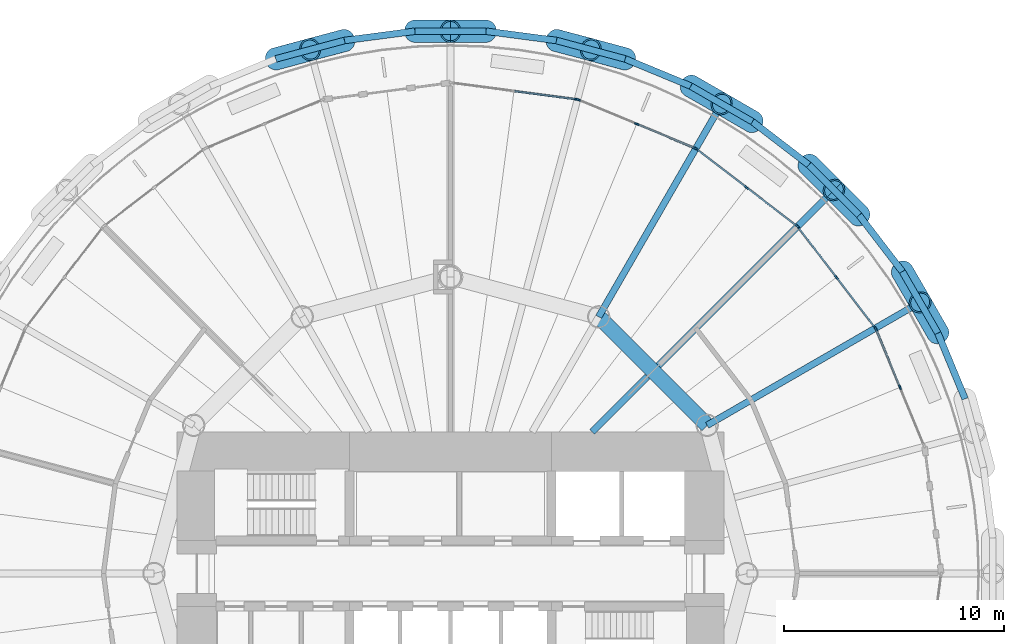
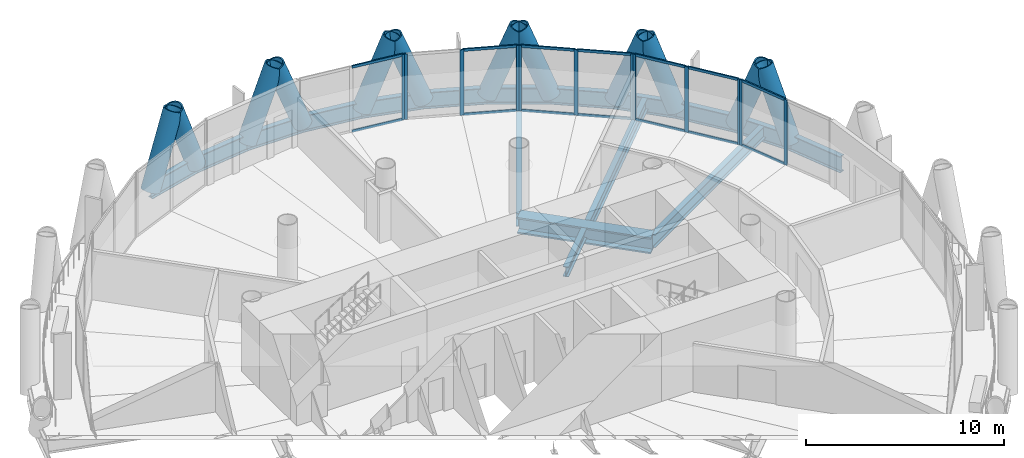
# One storey, part 7 of 15: 38 members, 17 beams, 5 elements without a shape of their own.
"""IFC4 building model written with IfcOpenShell, lengths in metres."""

from ifc_helpers import new_model, si_unit, direction, frame, origin, origin_2d, place, context, subcontext, project, spatial, rectangle, hollow_circle, i_section, extrude, material, material_profile, profile_set, type_object, element, aggregate, save


model = new_model("IFC4")

# Units and contexts
model_context = context("Model", 3, precision=1e-05, world=origin(), true_north=direction((0.0, 1.0)))
body_context = subcontext(model_context, "Body", "Model", "MODEL_VIEW")
ifc_project = project(units=[si_unit("LENGTHUNIT", "METRE"), si_unit("AREAUNIT", "SQUARE_METRE"), si_unit("VOLUMEUNIT", "CUBIC_METRE"), si_unit("PLANEANGLEUNIT", "RADIAN"), si_unit("MASSUNIT", "GRAM", prefix="KILO")], contexts=[model_context])

# Site, building, storey
site_placement = place(None, origin())
site = spatial("IfcSite", under=ifc_project, at=site_placement, CompositionType="ELEMENT")
building_placement = place(site_placement, origin())
building = spatial("IfcBuilding", under=site, at=building_placement, Name="Qaws Media Tower", CompositionType="ELEMENT")
storey_placement = place(building_placement, frame((0.0, 0.0, 156.199951171875)))
storey = spatial("IfcBuildingStorey", under=building, at=storey_placement, Name="L35", CompositionType="ELEMENT", Elevation=156.199951171875)

# Curtain wall, members
ifc_material_1 = material(Name="Aluminium and clear glass", Category="aluminium")
curtain_wall_type = type_object("IfcCurtainWallType", Name="Unitised curtain wall CW-B", PredefinedType="NOTDEFINED", material=ifc_material_1)
curtain_wall_1_placement = place(storey_placement, origin())
curtain_wall_1 = element("IfcCurtainWall", 1, at=curtain_wall_1_placement, inside=storey, type_object=curtain_wall_type, Name="CWB curtain wall L35-02", PredefinedType="NOTDEFINED")
ifc_material_2 = material(Name="Aluminium mullion", Category="aluminium")
ifc_material_profile_1 = material_profile(ifc_material_2, rectangle(XDim=0.080078125, YDim=0.199951171875, at=origin_2d()), Name="80x200")
ifc_profile_set_1 = profile_set([ifc_material_profile_1], Name="Aluminium mullion")
member_type_1 = type_object("IfcMemberType", Name="Curtain wall mullion 80x200", PredefinedType="MULLION", material=ifc_profile_set_1)
member_1_placement = place(storey_placement, frame((80.47216796875, 58.479736328125, 0.0), z_axis=(0.0, 0.0, 1.0), x_axis=(-0.923879550772, -0.38268338828, 0.0)))
member_1 = element("IfcMember", 2, at=member_1_placement, type_object=member_type_1, Name="CWB mullion 2", PredefinedType="MULLION", context=body_context, shape_type="SweptSolid", body=[
    extrude(rectangle(XDim=0.080078125, YDim=0.199951171875, at=origin_2d()), origin(), (0.0, 0.0, 1.0), 4.0400390625),
])
member_2_placement = place(storey_placement, frame((79.37109375, 61.137939453125, 0.0), z_axis=(0.0, 0.0, 1.0), x_axis=(-0.923879550772, -0.38268338828, 0.0)))
member_2 = element("IfcMember", 3, at=member_2_placement, type_object=member_type_1, Name="CWB mullion 3", PredefinedType="MULLION", context=body_context, shape_type="SweptSolid", body=[
    extrude(rectangle(XDim=0.080078125, YDim=0.199951171875, at=origin_2d()), origin(), (0.0, 0.0, 1.0), 4.0400390625),
])

curtain_wall_2_placement = place(storey_placement, origin())
curtain_wall_2 = element("IfcCurtainWall", 4, at=curtain_wall_2_placement, inside=storey, type_object=curtain_wall_type, Name="CWB curtain wall L35-03", PredefinedType="NOTDEFINED")
member_3_placement = place(storey_placement, frame((79.331298828125, 61.206787109375, 0.0), z_axis=(0.0, 0.0, 1.0), x_axis=(-0.793353386074, -0.608761369344, 0.0)))
member_3 = element("IfcMember", 5, at=member_3_placement, type_object=member_type_1, Name="CWB mullion 1", PredefinedType="MULLION", context=body_context, shape_type="SweptSolid", body=[
    extrude(rectangle(XDim=0.080078125, YDim=0.199951171875, at=origin_2d()), origin(), (0.0, 0.0, 1.0), 4.0400390625),
])
member_4_placement = place(storey_placement, frame((77.579833984375, 63.489501953125, 0.0), z_axis=(0.0, 0.0, 1.0), x_axis=(-0.793353386074, -0.608761369344, 0.0)))
member_4 = element("IfcMember", 6, at=member_4_placement, type_object=member_type_1, Name="CWB mullion 2", PredefinedType="MULLION", context=body_context, shape_type="SweptSolid", body=[
    extrude(rectangle(XDim=0.080078125, YDim=0.199951171875, at=origin_2d()), origin(), (0.0, 0.0, 1.0), 4.0400390625),
])
member_5_placement = place(storey_placement, frame((75.828125, 65.772216796875, 0.0), z_axis=(0.0, 0.0, 1.0), x_axis=(-0.793353386074, -0.608761369344, 0.0)))
member_5 = element("IfcMember", 7, at=member_5_placement, type_object=member_type_1, Name="CWB mullion 3", PredefinedType="MULLION", context=body_context, shape_type="SweptSolid", body=[
    extrude(rectangle(XDim=0.080078125, YDim=0.199951171875, at=origin_2d()), origin(), (0.0, 0.0, 1.0), 4.0400390625),
])

curtain_wall_3_placement = place(storey_placement, origin())
curtain_wall_3 = element("IfcCurtainWall", 8, at=curtain_wall_3_placement, inside=storey, type_object=curtain_wall_type, Name="CWB curtain wall L35-04", PredefinedType="NOTDEFINED")
member_6_placement = place(storey_placement, frame((75.772216796875, 65.828125, 0.0), z_axis=(0.0, 0.0, 1.0), x_axis=(-0.608761369344, -0.793353386074, 0.0)))
member_6 = element("IfcMember", 9, at=member_6_placement, type_object=member_type_1, Name="CWB mullion 1", PredefinedType="MULLION", context=body_context, shape_type="SweptSolid", body=[
    extrude(rectangle(XDim=0.080078125, YDim=0.199951171875, at=origin_2d()), origin(), (0.0, 0.0, 1.0), 4.0400390625),
])
member_7_placement = place(storey_placement, frame((73.489501953125, 67.579833984375, 0.0), z_axis=(0.0, 0.0, 1.0), x_axis=(-0.608761369344, -0.793353386074, 0.0)))
member_7 = element("IfcMember", 10, at=member_7_placement, type_object=member_type_1, Name="CWB mullion 2", PredefinedType="MULLION", context=body_context, shape_type="SweptSolid", body=[
    extrude(rectangle(XDim=0.080078125, YDim=0.199951171875, at=origin_2d()), origin(), (0.0, 0.0, 1.0), 4.0400390625),
])
member_8_placement = place(storey_placement, frame((71.206787109375, 69.331298828125, 0.0), z_axis=(0.0, 0.0, 1.0), x_axis=(-0.608761369344, -0.793353386074, 0.0)))
member_8 = element("IfcMember", 11, at=member_8_placement, type_object=member_type_1, Name="CWB mullion 3", PredefinedType="MULLION", context=body_context, shape_type="SweptSolid", body=[
    extrude(rectangle(XDim=0.080078125, YDim=0.199951171875, at=origin_2d()), origin(), (0.0, 0.0, 1.0), 4.0400390625),
])

curtain_wall_4_placement = place(storey_placement, origin())
curtain_wall_4 = element("IfcCurtainWall", 12, at=curtain_wall_4_placement, inside=storey, type_object=curtain_wall_type, Name="CWB curtain wall L35-05", PredefinedType="NOTDEFINED")
member_9_placement = place(storey_placement, frame((71.137939453125, 69.37109375, 0.0), z_axis=(0.0, 0.0, 1.0), x_axis=(-0.38268338828, -0.923879550772, 0.0)))
member_9 = element("IfcMember", 13, at=member_9_placement, type_object=member_type_1, Name="CWB mullion 1", PredefinedType="MULLION", context=body_context, shape_type="SweptSolid", body=[
    extrude(rectangle(XDim=0.080078125, YDim=0.199951171875, at=origin_2d()), origin(), (0.0, 0.0, 1.0), 4.0400390625),
])
member_10_placement = place(storey_placement, frame((68.479736328125, 70.47216796875, 0.0), z_axis=(0.0, 0.0, 1.0), x_axis=(-0.38268338828, -0.923879550772, 0.0)))
member_10 = element("IfcMember", 14, at=member_10_placement, type_object=member_type_1, Name="CWB mullion 2", PredefinedType="MULLION", context=body_context, shape_type="SweptSolid", body=[
    extrude(rectangle(XDim=0.080078125, YDim=0.199951171875, at=origin_2d()), origin(), (0.0, 0.0, 1.0), 4.0400390625),
])
member_11_placement = place(storey_placement, frame((65.821533203125, 71.5732421875, 0.0), z_axis=(0.0, 0.0, 1.0), x_axis=(-0.38268338828, -0.923879550772, 0.0)))
member_11 = element("IfcMember", 15, at=member_11_placement, type_object=member_type_1, Name="CWB mullion 3", PredefinedType="MULLION", context=body_context, shape_type="SweptSolid", body=[
    extrude(rectangle(XDim=0.080078125, YDim=0.199951171875, at=origin_2d()), origin(), (0.0, 0.0, 1.0), 4.0400390625),
])

# Curtain wall, member
curtain_wall_5_placement = place(storey_placement, origin())
curtain_wall_5 = element("IfcCurtainWall", 16, at=curtain_wall_5_placement, inside=storey, type_object=curtain_wall_type, Name="CWB curtain wall L35-06", PredefinedType="NOTDEFINED")
member_12_placement = place(storey_placement, frame((65.744873046875, 71.59375, 0.0), z_axis=(0.0, 0.0, 1.0), x_axis=(-0.130526221291, -0.991444857547, 0.0)))
member_12 = element("IfcMember", 17, at=member_12_placement, type_object=member_type_1, Name="CWB mullion 1", PredefinedType="MULLION", context=body_context, shape_type="SweptSolid", body=[
    extrude(rectangle(XDim=0.080078125, YDim=0.199951171875, at=origin_2d()), origin(), (0.0, 0.0, 1.0), 4.0400390625),
])

# Member
ifc_material_3 = material(Name="Aluminium transom", Category="aluminium")
ifc_material_profile_2 = material_profile(ifc_material_3, rectangle(XDim=0.080078125, YDim=0.159912109375, at=origin_2d()), Name="80x160")
ifc_profile_set_2 = profile_set([ifc_material_profile_2], Name="Aluminium transom")
member_type_2 = type_object("IfcMemberType", Name="Curtain wall transom 80x160", PredefinedType="USERDEFINED", material=ifc_profile_set_2)
member_13_placement = place(storey_placement, frame((80.456787109375, 58.516845703125, 0.0400390625), z_axis=(-0.382724364585, 0.923862576768, 0.0), x_axis=(-0.923862576768, -0.382724364585, 0.0)))
member_13 = element("IfcMember", 18, at=member_13_placement, type_object=member_type_2, Name="CWB transom 2.1", ObjectType="TRANSOM", PredefinedType="USERDEFINED", context=body_context, shape_type="SweptSolid", body=[
    extrude(rectangle(XDim=0.080078125, YDim=0.159912109375, at=origin_2d()), origin(), (0.0, 0.0, 1.0), 2.797119140625),
])

member_14_placement = place(storey_placement, frame((80.456787109375, 58.516845703125, 4.0), z_axis=(-0.382724364585, 0.923862576768, 0.0), x_axis=(-0.923862576768, -0.382724364585, 0.0)))
member_14 = element("IfcMember", 19, at=member_14_placement, type_object=member_type_2, Name="CWB transom 2.2", ObjectType="TRANSOM", PredefinedType="USERDEFINED", context=body_context, shape_type="SweptSolid", body=[
    extrude(rectangle(XDim=0.080078125, YDim=0.159912109375, at=origin_2d()), origin(), (0.0, 0.0, 1.0), 2.797119140625),
])

aggregate(curtain_wall_1, [member_1, member_2, member_13, member_14])

member_15_placement = place(storey_placement, frame((79.306884765625, 61.238525390625, 0.0400390625), z_axis=(-0.608761301523, 0.793353438114, 0.0), x_axis=(-0.793353438114, -0.608761301523, 0.0)))
member_15 = element("IfcMember", 20, at=member_15_placement, type_object=member_type_2, Name="CWB transom 1.1", ObjectType="TRANSOM", PredefinedType="USERDEFINED", context=body_context, shape_type="SweptSolid", body=[
    extrude(rectangle(XDim=0.080078125, YDim=0.159912109375, at=origin_2d()), origin(), (0.0, 0.0, 1.0), 2.79736328125),
])

member_16_placement = place(storey_placement, frame((79.306884765625, 61.238525390625, 4.0), z_axis=(-0.608761301523, 0.793353438114, 0.0), x_axis=(-0.793353438114, -0.608761301523, 0.0)))
member_16 = element("IfcMember", 21, at=member_16_placement, type_object=member_type_2, Name="CWB transom 1.2", ObjectType="TRANSOM", PredefinedType="USERDEFINED", context=body_context, shape_type="SweptSolid", body=[
    extrude(rectangle(XDim=0.080078125, YDim=0.159912109375, at=origin_2d()), origin(), (0.0, 0.0, 1.0), 2.79736328125),
])

member_17_placement = place(storey_placement, frame((77.555419921875, 63.521240234375, 0.0400390625), z_axis=(-0.608761301523, 0.793353438114, 0.0), x_axis=(-0.793353438114, -0.608761301523, 0.0)))
member_17 = element("IfcMember", 22, at=member_17_placement, type_object=member_type_2, Name="CWB transom 2.1", ObjectType="TRANSOM", PredefinedType="USERDEFINED", context=body_context, shape_type="SweptSolid", body=[
    extrude(rectangle(XDim=0.080078125, YDim=0.159912109375, at=origin_2d()), origin(), (0.0, 0.0, 1.0), 2.79736328125),
])

member_18_placement = place(storey_placement, frame((77.555419921875, 63.521240234375, 4.0), z_axis=(-0.608761301523, 0.793353438114, 0.0), x_axis=(-0.793353438114, -0.608761301523, 0.0)))
member_18 = element("IfcMember", 23, at=member_18_placement, type_object=member_type_2, Name="CWB transom 2.2", ObjectType="TRANSOM", PredefinedType="USERDEFINED", context=body_context, shape_type="SweptSolid", body=[
    extrude(rectangle(XDim=0.080078125, YDim=0.159912109375, at=origin_2d()), origin(), (0.0, 0.0, 1.0), 2.79736328125),
])

aggregate(curtain_wall_2, [member_3, member_4, member_5, member_15, member_16, member_17, member_18])

member_19_placement = place(storey_placement, frame((75.740478515625, 65.8525390625, 0.0400390625), z_axis=(-0.793353438114, 0.608761301523, 0.0), x_axis=(-0.608761301523, -0.793353438114, 0.0)))
member_19 = element("IfcMember", 24, at=member_19_placement, type_object=member_type_2, Name="CWB transom 1.1", ObjectType="TRANSOM", PredefinedType="USERDEFINED", context=body_context, shape_type="SweptSolid", body=[
    extrude(rectangle(XDim=0.080078125, YDim=0.159912109375, at=origin_2d()), origin(), (0.0, 0.0, 1.0), 2.79736328125),
])

member_20_placement = place(storey_placement, frame((75.740478515625, 65.8525390625, 4.0), z_axis=(-0.793353438114, 0.608761301523, 0.0), x_axis=(-0.608761301523, -0.793353438114, 0.0)))
member_20 = element("IfcMember", 25, at=member_20_placement, type_object=member_type_2, Name="CWB transom 1.2", ObjectType="TRANSOM", PredefinedType="USERDEFINED", context=body_context, shape_type="SweptSolid", body=[
    extrude(rectangle(XDim=0.080078125, YDim=0.159912109375, at=origin_2d()), origin(), (0.0, 0.0, 1.0), 2.79736328125),
])

member_21_placement = place(storey_placement, frame((73.457763671875, 67.60400390625, 0.0400390625), z_axis=(-0.793353438114, 0.608761301523, 0.0), x_axis=(-0.608761301523, -0.793353438114, 0.0)))
member_21 = element("IfcMember", 26, at=member_21_placement, type_object=member_type_2, Name="CWB transom 2.1", ObjectType="TRANSOM", PredefinedType="USERDEFINED", context=body_context, shape_type="SweptSolid", body=[
    extrude(rectangle(XDim=0.080078125, YDim=0.159912109375, at=origin_2d()), origin(), (0.0, 0.0, 1.0), 2.79736328125),
])

member_22_placement = place(storey_placement, frame((73.457763671875, 67.60400390625, 4.0), z_axis=(-0.793353438114, 0.608761301523, 0.0), x_axis=(-0.608761301523, -0.793353438114, 0.0)))
member_22 = element("IfcMember", 27, at=member_22_placement, type_object=member_type_2, Name="CWB transom 2.2", ObjectType="TRANSOM", PredefinedType="USERDEFINED", context=body_context, shape_type="SweptSolid", body=[
    extrude(rectangle(XDim=0.080078125, YDim=0.159912109375, at=origin_2d()), origin(), (0.0, 0.0, 1.0), 2.79736328125),
])

aggregate(curtain_wall_3, [member_6, member_7, member_8, member_19, member_20, member_21, member_22])

member_23_placement = place(storey_placement, frame((71.10107421875, 69.38623046875, 0.0400390625), z_axis=(-0.923862576768, 0.382724364585, 0.0), x_axis=(-0.382724364585, -0.923862576768, 0.0)))
member_23 = element("IfcMember", 28, at=member_23_placement, type_object=member_type_2, Name="CWB transom 1.1", ObjectType="TRANSOM", PredefinedType="USERDEFINED", context=body_context, shape_type="SweptSolid", body=[
    extrude(rectangle(XDim=0.080078125, YDim=0.159912109375, at=origin_2d()), origin(), (0.0, 0.0, 1.0), 2.797119140625),
])

member_24_placement = place(storey_placement, frame((71.10107421875, 69.38623046875, 4.0), z_axis=(-0.923862576768, 0.382724364585, 0.0), x_axis=(-0.382724364585, -0.923862576768, 0.0)))
member_24 = element("IfcMember", 29, at=member_24_placement, type_object=member_type_2, Name="CWB transom 1.2", ObjectType="TRANSOM", PredefinedType="USERDEFINED", context=body_context, shape_type="SweptSolid", body=[
    extrude(rectangle(XDim=0.080078125, YDim=0.159912109375, at=origin_2d()), origin(), (0.0, 0.0, 1.0), 2.797119140625),
])

aggregate(curtain_wall_4, [member_9, member_10, member_11, member_23, member_24])

member_25_placement = place(storey_placement, frame((65.705322265625, 71.598876953125, 0.0400390625), z_axis=(-0.991440030998, 0.130562877322, 0.0), x_axis=(-0.130562877322, -0.991440030998, 0.0)))
member_25 = element("IfcMember", 30, at=member_25_placement, type_object=member_type_2, Name="CWB transom 1.1", ObjectType="TRANSOM", PredefinedType="USERDEFINED", context=body_context, shape_type="SweptSolid", body=[
    extrude(rectangle(XDim=0.080078125, YDim=0.159912109375, at=origin_2d()), origin(), (0.0, 0.0, 1.0), 2.79736328125),
])

member_26_placement = place(storey_placement, frame((65.705322265625, 71.598876953125, 4.0), z_axis=(-0.991440030998, 0.130562877322, 0.0), x_axis=(-0.130562877322, -0.991440030998, 0.0)))
member_26 = element("IfcMember", 31, at=member_26_placement, type_object=member_type_2, Name="CWB transom 1.2", ObjectType="TRANSOM", PredefinedType="USERDEFINED", context=body_context, shape_type="SweptSolid", body=[
    extrude(rectangle(XDim=0.080078125, YDim=0.159912109375, at=origin_2d()), origin(), (0.0, 0.0, 1.0), 2.79736328125),
])

aggregate(curtain_wall_5, [member_12, member_25, member_26])

# Members
ifc_material_4 = material(Name="Steel S460", Category="steel")
ifc_material_profile_3 = material_profile(ifc_material_4, hollow_circle(Radius=0.508056640625, WallThickness=0.070068359375, at=origin_2d()), Name="CHS 1016x70")
ifc_profile_set_3 = profile_set([ifc_material_profile_3], Name="Steel S460")
member_type_3 = type_object("IfcMemberType", Name="Diagrid member CHS 1016x70", PredefinedType="USERDEFINED", material=ifc_profile_set_3)
for number, where, z_axis, x_axis, name in (
    (32, (82.197509765625, 60.946533203125, -0.6640625), (-0.179199044088, 0.311808506192, 0.933093327628), (-0.867015441762, -0.498281269713, 0.0), "DG3 diagrid L35 A02"),
    (33, (78.608154296875, 66.31884765625, -0.6640625), (-0.253830352137, 0.254752385467, 0.933097730376), (-0.708387563847, -0.705823674431, 0.0), "DG3 diagrid L35 A03"),
):
    element("IfcMember", number, at=place(storey_placement, frame(where, z_axis=z_axis, x_axis=x_axis)), inside=storey, type_object=member_type_3, Name=name, ObjectType="DIAGRID", PredefinedType="USERDEFINED", context=body_context, shape_type="SweptSolid", body=[
        extrude(hollow_circle(Radius=0.508056640625, WallThickness=0.070068359375, at=origin_2d()), origin(), (0.0, 0.0, 1.0), 4.50146484375),
    ])
for number, where, z_axis, x_axis, name in (
    (34, (80.578857421875, 63.750244140625, -0.6640625), (0.180396215789, -0.311056012492, 0.933113799288), (0.865050827672, 0.501684228917, 0.0), "DG3 diagrid L35 B03"),
    (35, (73.750244140625, 70.578857421875, -0.6640625), (-0.311056012492, 0.180396215789, 0.933113799288), (-0.501684228917, -0.865050827672, 0.0), "DG3 diagrid L35 A04"),
):
    element("IfcMember", number, at=place(storey_placement, frame(where, z_axis=z_axis, x_axis=x_axis)), inside=storey, type_object=member_type_3, Name=name, ObjectType="DIAGRID", PredefinedType="USERDEFINED", context=body_context, shape_type="SweptSolid", body=[
        extrude(hollow_circle(Radius=0.508056640625, WallThickness=0.070068359375, at=origin_2d()), origin(), (0.0, 0.0, 1.0), 4.501220703125),
    ])
member_27_placement = place(storey_placement, frame((76.31884765625, 68.608154296875, -0.6640625), z_axis=(0.254752385467, -0.253830352137, 0.933097730376), x_axis=(0.705823674431, 0.708387563847, 0.0)))
element("IfcMember", 36, at=member_27_placement, inside=storey, type_object=member_type_3, Name="DG3 diagrid L35 B04", ObjectType="DIAGRID", PredefinedType="USERDEFINED", context=body_context, shape_type="SweptSolid", body=[
    extrude(hollow_circle(Radius=0.508056640625, WallThickness=0.070068359375, at=origin_2d()), origin(), (0.0, 0.0, 1.0), 4.50146484375),
])
member_28_placement = place(storey_placement, frame((67.95556640625, 73.4365234375, -0.6640625), z_axis=(-0.347175437247, 0.093722723881, 0.933105174565), x_axis=(-0.260627895981, -0.965439329962, 0.0)))
element("IfcMember", 37, at=member_28_placement, inside=storey, type_object=member_type_3, Name="DG3 diagrid L35 A05", ObjectType="DIAGRID", PredefinedType="USERDEFINED", context=body_context, shape_type="SweptSolid", body=[
    extrude(hollow_circle(Radius=0.508056640625, WallThickness=0.070068359375, at=origin_2d()), origin(), (0.0, 0.0, 1.0), 4.501220703125),
])
member_29_placement = place(storey_placement, frame((70.946533203125, 72.197509765625, -0.6640625), z_axis=(0.311808506192, -0.179199044088, 0.933093327628), x_axis=(0.498281269713, 0.867015441762, 0.0)))
element("IfcMember", 38, at=member_29_placement, inside=storey, type_object=member_type_3, Name="DG3 diagrid L35 B05", ObjectType="DIAGRID", PredefinedType="USERDEFINED", context=body_context, shape_type="SweptSolid", body=[
    extrude(hollow_circle(Radius=0.508056640625, WallThickness=0.070068359375, at=origin_2d()), origin(), (0.0, 0.0, 1.0), 4.50146484375),
])
member_30_placement = place(storey_placement, frame((61.61865234375, 74.697021484375, -0.6640625), z_axis=(-0.359596788515, 0.000650853916, 0.933107564045), x_axis=(-0.001809951786, -0.999998362036, 0.0)))
element("IfcMember", 39, at=member_30_placement, inside=storey, type_object=member_type_3, Name="DG3 diagrid L35 A06", ObjectType="DIAGRID", PredefinedType="USERDEFINED", context=body_context, shape_type="SweptSolid", body=[
    extrude(hollow_circle(Radius=0.508056640625, WallThickness=0.070068359375, at=origin_2d()), origin(), (0.0, 0.0, 1.0), 4.501220703125),
])
for number, where, z_axis, x_axis, name in (
    (40, (64.828369140625, 74.2744140625, -0.6640625), (0.347551371871, -0.092420027726, 0.933095162556), (0.256986741386, 0.966414928875, 0.0), "DG3 diagrid L35 B06"),
    (41, (55.171630859375, 74.2744140625, -0.6640625), (-0.347551371871, -0.092420027726, 0.933095162556), (0.256986741386, -0.966414928875, 0.0), "DG3 diagrid L35 A07"),
):
    element("IfcMember", number, at=place(storey_placement, frame(where, z_axis=z_axis, x_axis=x_axis)), inside=storey, type_object=member_type_3, Name=name, ObjectType="DIAGRID", PredefinedType="USERDEFINED", context=body_context, shape_type="SweptSolid", body=[
        extrude(hollow_circle(Radius=0.508056640625, WallThickness=0.070068359375, at=origin_2d()), origin(), (0.0, 0.0, 1.0), 4.50146484375),
    ])
for number, where, z_axis, x_axis, name in (
    (42, (58.38134765625, 74.697021484375, -0.6640625), (0.359596788515, 0.000650853916, 0.933107564045), (-0.001809951786, 0.999998362036, 0.0), "DG3 diagrid L35 B07"),
    (43, (52.04443359375, 73.4365234375, -0.6640625), (0.347175437247, 0.093722723881, 0.933105174565), (-0.260627895981, 0.965439329962, 0.0), "DG3 diagrid L35 B08"),
):
    element("IfcMember", number, at=place(storey_placement, frame(where, z_axis=z_axis, x_axis=x_axis)), inside=storey, type_object=member_type_3, Name=name, ObjectType="DIAGRID", PredefinedType="USERDEFINED", context=body_context, shape_type="SweptSolid", body=[
        extrude(hollow_circle(Radius=0.508056640625, WallThickness=0.070068359375, at=origin_2d()), origin(), (0.0, 0.0, 1.0), 4.501220703125),
    ])

# Beams
ifc_material_5 = material(Name="Steel S460", Category="steel")
ifc_material_profile_4 = material_profile(ifc_material_5, i_section(OverallWidth=0.302001953125, OverallDepth=1.008056640625, WebThickness=0.02099609375, FlangeThickness=0.0400390625, FilletRadius=0.030029296875, at=origin_2d()), Name="HE 1000 M")
ifc_profile_set_4 = profile_set([ifc_material_profile_4], Name="Steel S460")
beam_type_1 = type_object("IfcBeamType", Name="Edge ring beam HE 1000 M", PredefinedType="BEAM", material=ifc_profile_set_4)
beam_1_placement = place(storey_placement, frame((83.4365234375, 57.95556640625, -0.6640625), z_axis=(-0.382713662324, 0.923867010273, 0.0), x_axis=(-0.923867010273, -0.382713662324, 0.0)))
element("IfcBeam", 44, at=beam_1_placement, inside=storey, type_object=beam_type_1, Name="RB3 edge ring beam L35-03", PredefinedType="BEAM", context=body_context, shape_type="SweptSolid", body=[
    extrude(i_section(OverallWidth=0.302001953125, OverallDepth=1.008056640625, WebThickness=0.02099609375, FlangeThickness=0.0400390625, FilletRadius=0.030029296875, at=origin_2d()), origin(), (0.0, 0.0, 1.0), 3.237548828125),
])
beam_2_placement = place(storey_placement, frame((82.197509765625, 60.946533203125, -0.6640625), z_axis=(-0.499983569942, 0.866034889475, 0.0), x_axis=(-0.866034889475, -0.499983569942, 0.0)))
element("IfcBeam", 45, at=beam_2_placement, inside=storey, type_object=beam_type_1, Name="RB3 edge ring beam L35-04", PredefinedType="BEAM", context=body_context, shape_type="SweptSolid", body=[
    extrude(i_section(OverallWidth=0.302001953125, OverallDepth=1.008056640625, WebThickness=0.02099609375, FlangeThickness=0.0400390625, FilletRadius=0.030029296875, at=origin_2d()), origin(), (0.0, 0.0, 1.0), 3.2373046875),
])
for number, where, z_axis, x_axis, name in (
    (46, (80.578857421875, 63.750244140625, -0.6640625), (-0.608711721648, 0.793391479616, 0.0), (-0.793391479616, -0.608711721648, 0.0), "RB3 edge ring beam L35-05"),
    (47, (78.608154296875, 66.31884765625, -0.6640625), (-0.707106781187, 0.707106781187, 0.0), (-0.707106781187, -0.707106781187, 0.0), "RB3 edge ring beam L35-06"),
    (48, (76.31884765625, 68.608154296875, -0.6640625), (-0.793391479616, 0.608711721648, 0.0), (-0.608711721648, -0.793391479616, 0.0), "RB3 edge ring beam L35-07"),
):
    element("IfcBeam", number, at=place(storey_placement, frame(where, z_axis=z_axis, x_axis=x_axis)), inside=storey, type_object=beam_type_1, Name=name, PredefinedType="BEAM", context=body_context, shape_type="SweptSolid", body=[
        extrude(i_section(OverallWidth=0.302001953125, OverallDepth=1.008056640625, WebThickness=0.02099609375, FlangeThickness=0.0400390625, FilletRadius=0.030029296875, at=origin_2d()), origin(), (0.0, 0.0, 1.0), 3.237548828125),
    ])
beam_3_placement = place(storey_placement, frame((73.750244140625, 70.578857421875, -0.6640625), z_axis=(-0.866034889475, 0.499983569942, 0.0), x_axis=(-0.499983569942, -0.866034889475, 0.0)))
element("IfcBeam", 49, at=beam_3_placement, inside=storey, type_object=beam_type_1, Name="RB3 edge ring beam L35-08", PredefinedType="BEAM", context=body_context, shape_type="SweptSolid", body=[
    extrude(i_section(OverallWidth=0.302001953125, OverallDepth=1.008056640625, WebThickness=0.02099609375, FlangeThickness=0.0400390625, FilletRadius=0.030029296875, at=origin_2d()), origin(), (0.0, 0.0, 1.0), 3.2373046875),
])
for number, where, z_axis, x_axis, name in (
    (50, (70.946533203125, 72.197509765625, -0.6640625), (-0.923867010273, 0.382713662324, 0.0), (-0.382713662324, -0.923867010273, 0.0), "RB3 edge ring beam L35-09"),
    (51, (67.95556640625, 73.4365234375, -0.6640625), (-0.965928865363, 0.258807702859, 0.0), (-0.258807702859, -0.965928865363, 0.0), "RB3 edge ring beam L35-10"),
):
    element("IfcBeam", number, at=place(storey_placement, frame(where, z_axis=z_axis, x_axis=x_axis)), inside=storey, type_object=beam_type_1, Name=name, PredefinedType="BEAM", context=body_context, shape_type="SweptSolid", body=[
        extrude(i_section(OverallWidth=0.302001953125, OverallDepth=1.008056640625, WebThickness=0.02099609375, FlangeThickness=0.0400390625, FilletRadius=0.030029296875, at=origin_2d()), origin(), (0.0, 0.0, 1.0), 3.237548828125),
    ])
for number, where, z_axis, x_axis, name in (
    (52, (64.828369140625, 74.2744140625, -0.6640625), (-0.991443254821, 0.130538394622, 0.0), (-0.130538394622, -0.991443254821, 0.0), "RB3 edge ring beam L35-11"),
    (53, (61.61865234375, 74.697021484375, -0.6640625), (-1.0, 0.0, 0.0), (0.0, -1.0, 0.0), "RB3 edge ring beam L35-12"),
    (54, (58.38134765625, 74.697021484375, -0.6640625), (-0.991443254821, -0.130538394622, 0.0), (0.130538394622, -0.991443254821, 0.0), "RB3 edge ring beam L35-13"),
):
    element("IfcBeam", number, at=place(storey_placement, frame(where, z_axis=z_axis, x_axis=x_axis)), inside=storey, type_object=beam_type_1, Name=name, PredefinedType="BEAM", context=body_context, shape_type="SweptSolid", body=[
        extrude(i_section(OverallWidth=0.302001953125, OverallDepth=1.008056640625, WebThickness=0.02099609375, FlangeThickness=0.0400390625, FilletRadius=0.030029296875, at=origin_2d()), origin(), (0.0, 0.0, 1.0), 3.2373046875),
    ])
beam_4_placement = place(storey_placement, frame((55.171630859375, 74.2744140625, -0.6640625), z_axis=(-0.965928865363, -0.258807702859, 0.0), x_axis=(0.258807702859, -0.965928865363, 0.0)))
element("IfcBeam", 55, at=beam_4_placement, inside=storey, type_object=beam_type_1, Name="RB3 edge ring beam L35-14", PredefinedType="BEAM", context=body_context, shape_type="SweptSolid", body=[
    extrude(i_section(OverallWidth=0.302001953125, OverallDepth=1.008056640625, WebThickness=0.02099609375, FlangeThickness=0.0400390625, FilletRadius=0.030029296875, at=origin_2d()), origin(), (0.0, 0.0, 1.0), 3.237548828125),
])
ifc_material_6 = material(Name="Steel S460", Category="steel")
ifc_material_profile_5 = material_profile(ifc_material_6, i_section(OverallWidth=0.699951171875, OverallDepth=1.0, WebThickness=0.034912109375, FlangeThickness=0.090087890625, at=origin_2d()), Name="PG 1000x700")
ifc_profile_set_5 = profile_set([ifc_material_profile_5], Name="Steel S460")
beam_type_2 = type_object("IfcBeamType", Name="Inner ring girder PG 1000x700", PredefinedType="BEAM", material=ifc_profile_set_5)
beam_5_placement = place(storey_placement, frame((71.69140625, 56.75, -0.659912109375), z_axis=(-0.707106781187, 0.707106781187, 0.0), x_axis=(-0.707106781187, -0.707106781187, 0.0)))
element("IfcBeam", 56, at=beam_5_placement, inside=storey, type_object=beam_type_2, Name="B3 inner ring beam L35 I02-I03", PredefinedType="BEAM", context=body_context, shape_type="SweptSolid", body=[
    extrude(i_section(OverallWidth=0.699951171875, OverallDepth=1.0, WebThickness=0.034912109375, FlangeThickness=0.090087890625, at=origin_2d()), origin(), (0.0, 0.0, 1.0), 6.98828125),
])
ifc_material_7 = material(Name="Steel S355", Category="steel")
ifc_material_profile_6 = material_profile(ifc_material_7, i_section(OverallWidth=0.304931640625, OverallDepth=0.6201171875, WebThickness=0.02099609375, FlangeThickness=0.0400390625, FilletRadius=0.027099609375, at=origin_2d()), Name="HE 600 M")
ifc_profile_set_6 = profile_set([ifc_material_profile_6], Name="Steel S355")
beam_type_3 = type_object("IfcBeamType", Name="Radial beam HE 600 M, core side", PredefinedType="BEAM", material=ifc_profile_set_6)
beam_6_placement = place(storey_placement, frame((66.449951171875, 56.449951171875, -0.469970703125), z_axis=(0.707106781187, 0.707106781187, 0.0), x_axis=(-0.707106781187, 0.707106781187, 0.0)))
element("IfcBeam", 57, at=beam_6_placement, inside=storey, type_object=beam_type_3, Name="B2 radial beam L35 04", PredefinedType="BEAM", context=body_context, shape_type="SweptSolid", body=[
    extrude(i_section(OverallWidth=0.304931640625, OverallDepth=0.6201171875, WebThickness=0.02099609375, FlangeThickness=0.0400390625, FilletRadius=0.027099609375, at=origin_2d()), origin(), (0.0, 0.0, 1.0), 3.568359375),
])
ifc_material_8 = material(Name="Steel S355", Category="steel")
ifc_material_profile_7 = material_profile(ifc_material_8, i_section(OverallWidth=0.300048828125, OverallDepth=0.800048828125, WebThickness=0.017578125, FlangeThickness=0.032958984375, FilletRadius=0.030029296875, at=origin_2d()), Name="HE 800 B")
ifc_profile_set_7 = profile_set([ifc_material_profile_7], Name="Steel S355")
beam_type_4 = type_object("IfcBeamType", Name="Radial beam HE 800 B", PredefinedType="BEAM", material=ifc_profile_set_7)
beam_7_placement = place(storey_placement, frame((71.69140625, 56.75, -0.56005859375), z_axis=(0.866027273133, 0.499996762179, 0.0), x_axis=(-0.499996762179, 0.866027273133, 0.0)))
element("IfcBeam", 58, at=beam_7_placement, inside=storey, type_object=beam_type_4, Name="B1 radial beam L35 03", PredefinedType="BEAM", context=body_context, shape_type="SweptSolid", body=[
    extrude(i_section(OverallWidth=0.300048828125, OverallDepth=0.800048828125, WebThickness=0.017578125, FlangeThickness=0.032958984375, FilletRadius=0.030029296875, at=origin_2d()), origin(), (0.0, 0.0, 1.0), 11.19677734375),
])
beam_8_placement = place(storey_placement, frame((69.46826171875, 59.46826171875, -0.56005859375), z_axis=(0.707106781187, 0.707106781187, 0.0), x_axis=(-0.707106781187, 0.707106781187, 0.0)))
element("IfcBeam", 59, at=beam_8_placement, inside=storey, type_object=beam_type_4, Name="B1 radial beam L35 04", PredefinedType="BEAM", context=body_context, shape_type="SweptSolid", body=[
    extrude(i_section(OverallWidth=0.300048828125, OverallDepth=0.800048828125, WebThickness=0.017578125, FlangeThickness=0.032958984375, FilletRadius=0.030029296875, at=origin_2d()), origin(), (0.0, 0.0, 1.0), 11.306884765625),
])
beam_9_placement = place(storey_placement, frame((66.75, 61.69140625, -0.56005859375), z_axis=(0.499996762179, 0.866027273133, 0.0), x_axis=(-0.866027273133, 0.499996762179, 0.0)))
element("IfcBeam", 60, at=beam_9_placement, inside=storey, type_object=beam_type_4, Name="B1 radial beam L35 05", PredefinedType="BEAM", context=body_context, shape_type="SweptSolid", body=[
    extrude(i_section(OverallWidth=0.300048828125, OverallDepth=0.800048828125, WebThickness=0.017578125, FlangeThickness=0.032958984375, FilletRadius=0.030029296875, at=origin_2d()), origin(), (0.0, 0.0, 1.0), 11.19677734375),
])

save(model, "model.ifc")
